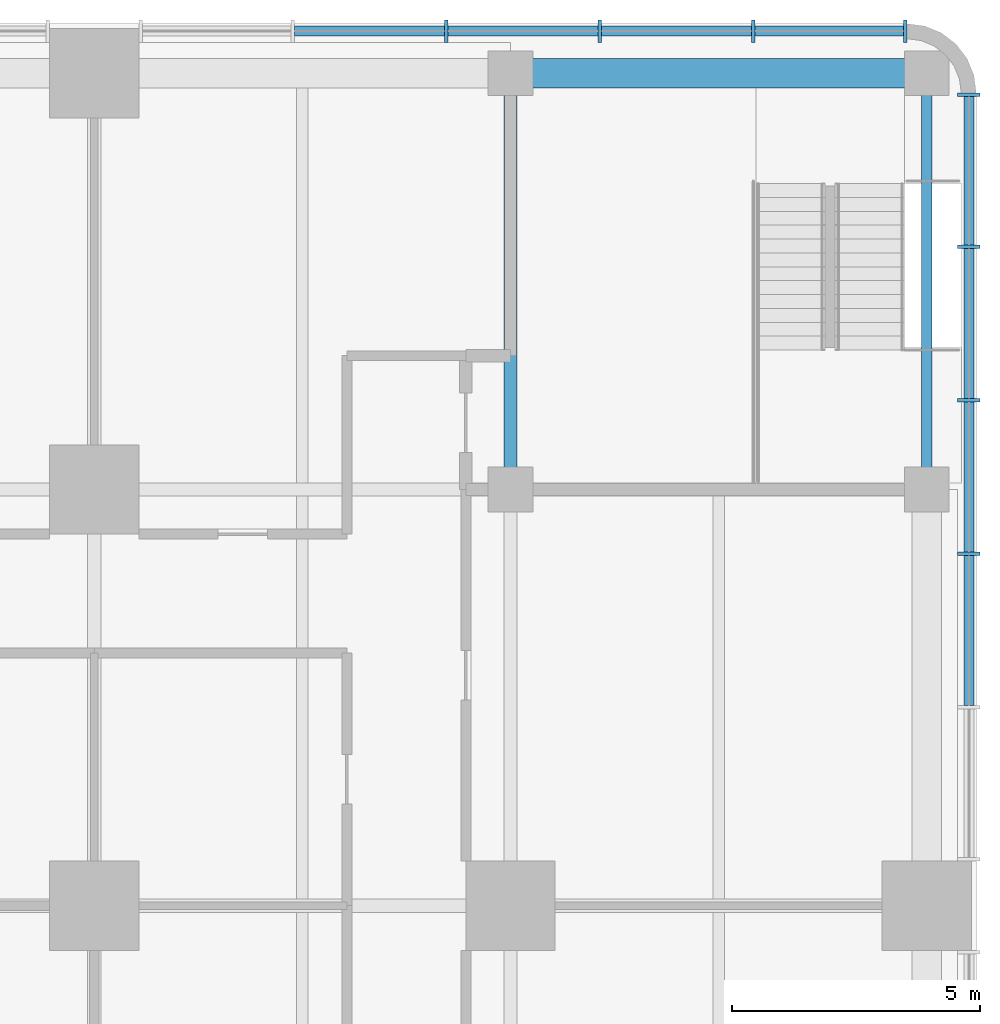
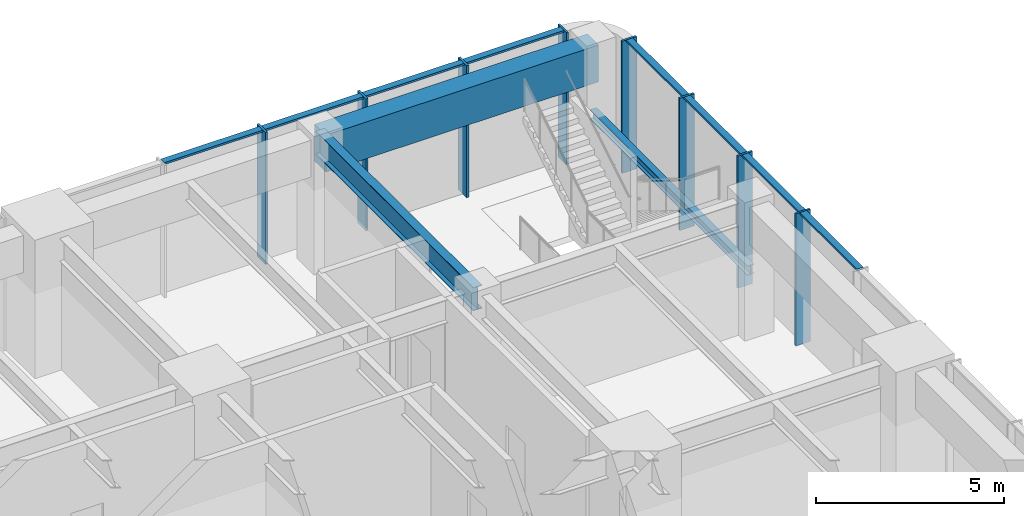
# One storey, part 8 of 19: 16 members, 3 beams, 2 elements without a shape of their own.
"""IFC4 building model written with IfcOpenShell, lengths in metres."""

from ifc_helpers import new_model, si_unit, direction, frame, origin, origin_2d, place, context, subcontext, project, spatial, rectangle, i_section, extrude, material, material_profile, profile_set, type_object, element, aggregate, save


model = new_model("IFC4")

# Units and contexts
model_context = context("Model", 3, precision=1e-05, world=origin(), true_north=direction((0.0, 1.0)))
body_context = subcontext(model_context, "Body", "Model", "MODEL_VIEW")
ifc_project = project(units=[si_unit("LENGTHUNIT", "METRE"), si_unit("AREAUNIT", "SQUARE_METRE"), si_unit("VOLUMEUNIT", "CUBIC_METRE"), si_unit("PLANEANGLEUNIT", "RADIAN"), si_unit("MASSUNIT", "GRAM", prefix="KILO")], contexts=[model_context])

# Site, building, storey
site_placement = place(None, origin())
site = spatial("IfcSite", under=ifc_project, at=site_placement, CompositionType="ELEMENT")
building_placement = place(site_placement, origin())
building = spatial("IfcBuilding", under=site, at=building_placement, Name="Torre Alcanfor", CompositionType="ELEMENT")
storey_placement = place(building_placement, frame((0.0, 0.0, 6.0)))
storey = spatial("IfcBuildingStorey", under=building, at=storey_placement, Name="L01", CompositionType="ELEMENT", Elevation=6.0)

# Curtain wall, members
ifc_material_1 = material(Name="Aluminium and glass", Category="aluminium")
curtain_wall_type = type_object("IfcCurtainWallType", Name="CW-B unitised classroom glazing with vertical FIN", PredefinedType="NOTDEFINED", material=ifc_material_1)
curtain_wall_1_placement = place(storey_placement, origin())
curtain_wall_1 = element("IfcCurtainWall", 1, at=curtain_wall_1_placement, inside=storey, type_object=curtain_wall_type, Name="Curtain wall CW-B L01 1", PredefinedType="NOTDEFINED")
ifc_material_2 = material(Name="Bronze anodised aluminium", Category="aluminium")
ifc_material_profile_1 = material_profile(ifc_material_2, rectangle(XDim=0.449951171875, YDim=0.06494140625, at=origin_2d()), Name="CW-B mullion 65x450")
ifc_profile_set_1 = profile_set([ifc_material_profile_1], Name="Bronze anodised aluminium")
member_type_1 = type_object("IfcMemberType", Name="CW-B mullion with vertical FIN 65x450", PredefinedType="MULLION", material=ifc_profile_set_1)
member_1_placement = place(storey_placement, frame((59.64990234375, 49.10302734375, 0.0), z_axis=(0.0, 0.0, 1.0), x_axis=(-1.0, 0.0, 0.0)))
member_1 = element("IfcMember", 2, at=member_1_placement, type_object=member_type_1, Name="CW-B mullion 5.3", PredefinedType="MULLION", context=body_context, shape_type="SweptSolid", body=[
    extrude(rectangle(XDim=0.449951171875, YDim=0.06494140625, at=origin_2d()), origin(), (0.0, 0.0, 1.0), 4.300048828125),
])
member_2_placement = place(storey_placement, frame((59.64990234375, 52.201904296875, 0.0), z_axis=(0.0, 0.0, 1.0), x_axis=(-1.0, 0.0, 0.0)))
member_2 = element("IfcMember", 3, at=member_2_placement, type_object=member_type_1, Name="CW-B mullion 5.4", PredefinedType="MULLION", context=body_context, shape_type="SweptSolid", body=[
    extrude(rectangle(XDim=0.449951171875, YDim=0.06494140625, at=origin_2d()), origin(), (0.0, 0.0, 1.0), 4.300048828125),
])
member_3_placement = place(storey_placement, frame((59.64990234375, 55.301025390625, 0.0), z_axis=(0.0, 0.0, 1.0), x_axis=(-1.0, 0.0, 0.0)))
member_3 = element("IfcMember", 4, at=member_3_placement, type_object=member_type_1, Name="CW-B mullion 5.5", PredefinedType="MULLION", context=body_context, shape_type="SweptSolid", body=[
    extrude(rectangle(XDim=0.449951171875, YDim=0.06494140625, at=origin_2d()), origin(), (0.0, 0.0, 1.0), 4.300048828125),
])
member_4_placement = place(storey_placement, frame((59.64990234375, 58.367431640625, 0.0), z_axis=(0.0, 0.0, 1.0), x_axis=(-1.0, 0.0, 0.0)))
member_4 = element("IfcMember", 5, at=member_4_placement, type_object=member_type_1, Name="CW-B mullion 5.6", PredefinedType="MULLION", context=body_context, shape_type="SweptSolid", body=[
    extrude(rectangle(XDim=0.449951171875, YDim=0.06494140625, at=origin_2d()), origin(), (0.0, 0.0, 1.0), 4.300048828125),
])

curtain_wall_2_placement = place(storey_placement, origin())
curtain_wall_2 = element("IfcCurtainWall", 6, at=curtain_wall_2_placement, inside=storey, type_object=curtain_wall_type, Name="Curtain wall CW-B L01 2", PredefinedType="NOTDEFINED")
member_5_placement = place(storey_placement, frame((58.367431640625, 59.64990234375, 0.0), z_axis=(0.0, 0.0, 1.0), x_axis=(0.0, -1.0, 0.0)))
member_5 = element("IfcMember", 7, at=member_5_placement, type_object=member_type_1, Name="CW-B mullion 1.1", PredefinedType="MULLION", context=body_context, shape_type="SweptSolid", body=[
    extrude(rectangle(XDim=0.449951171875, YDim=0.06494140625, at=origin_2d()), origin(), (0.0, 0.0, 1.0), 4.300048828125),
])
member_6_placement = place(storey_placement, frame((55.301025390625, 59.64990234375, 0.0), z_axis=(0.0, 0.0, 1.0), x_axis=(0.0, -1.0, 0.0)))
member_6 = element("IfcMember", 8, at=member_6_placement, type_object=member_type_1, Name="CW-B mullion 1.2", PredefinedType="MULLION", context=body_context, shape_type="SweptSolid", body=[
    extrude(rectangle(XDim=0.449951171875, YDim=0.06494140625, at=origin_2d()), origin(), (0.0, 0.0, 1.0), 4.300048828125),
])
member_7_placement = place(storey_placement, frame((52.201904296875, 59.64990234375, 0.0), z_axis=(0.0, 0.0, 1.0), x_axis=(0.0, -1.0, 0.0)))
member_7 = element("IfcMember", 9, at=member_7_placement, type_object=member_type_1, Name="CW-B mullion 1.3", PredefinedType="MULLION", context=body_context, shape_type="SweptSolid", body=[
    extrude(rectangle(XDim=0.449951171875, YDim=0.06494140625, at=origin_2d()), origin(), (0.0, 0.0, 1.0), 4.300048828125),
])
member_8_placement = place(storey_placement, frame((49.10302734375, 59.64990234375, 0.0), z_axis=(0.0, 0.0, 1.0), x_axis=(0.0, -1.0, 0.0)))
member_8 = element("IfcMember", 10, at=member_8_placement, type_object=member_type_1, Name="CW-B mullion 1.4", PredefinedType="MULLION", context=body_context, shape_type="SweptSolid", body=[
    extrude(rectangle(XDim=0.449951171875, YDim=0.06494140625, at=origin_2d()), origin(), (0.0, 0.0, 1.0), 4.300048828125),
])

# Member
ifc_material_3 = material(Name="Extruded aluminium", Category="aluminium")
ifc_material_profile_2 = material_profile(ifc_material_3, rectangle(XDim=0.199951171875, YDim=0.06494140625, at=origin_2d()), Name="CW-B transom 200x65")
ifc_profile_set_2 = profile_set([ifc_material_profile_2], Name="Extruded aluminium")
member_type_2 = type_object("IfcMemberType", Name="CW-B transom 65x200", PredefinedType="USERDEFINED", material=ifc_profile_set_2)
member_9_placement = place(storey_placement, frame((59.64990234375, 46.03662109375, 4.267578125), z_axis=(0.0, 1.0, 0.0), x_axis=(-1.0, 0.0, 0.0)))
member_9 = element("IfcMember", 11, at=member_9_placement, type_object=member_type_2, Name="CW-B transom 5.2.2", ObjectType="TRANSOM", PredefinedType="USERDEFINED", context=body_context, shape_type="SweptSolid", body=[
    extrude(rectangle(XDim=0.199951171875, YDim=0.06494140625, at=origin_2d()), origin(), (0.0, 0.0, 1.0), 3.033935546875),
])

member_10_placement = place(storey_placement, frame((59.64990234375, 49.135498046875, 4.267578125), z_axis=(0.0, 1.0, 0.0), x_axis=(-1.0, 0.0, 0.0)))
member_10 = element("IfcMember", 12, at=member_10_placement, type_object=member_type_2, Name="CW-B transom 5.3.2", ObjectType="TRANSOM", PredefinedType="USERDEFINED", context=body_context, shape_type="SweptSolid", body=[
    extrude(rectangle(XDim=0.199951171875, YDim=0.06494140625, at=origin_2d()), origin(), (0.0, 0.0, 1.0), 3.033935546875),
])

member_11_placement = place(storey_placement, frame((59.64990234375, 52.234619140625, 4.267578125), z_axis=(0.0, 1.0, 0.0), x_axis=(-1.0, 0.0, 0.0)))
member_11 = element("IfcMember", 13, at=member_11_placement, type_object=member_type_2, Name="CW-B transom 5.4.2", ObjectType="TRANSOM", PredefinedType="USERDEFINED", context=body_context, shape_type="SweptSolid", body=[
    extrude(rectangle(XDim=0.199951171875, YDim=0.06494140625, at=origin_2d()), origin(), (0.0, 0.0, 1.0), 3.033935546875),
])

member_12_placement = place(storey_placement, frame((59.64990234375, 55.33349609375, 4.267578125), z_axis=(0.0, 1.0, 0.0), x_axis=(-1.0, 0.0, 0.0)))
member_12 = element("IfcMember", 14, at=member_12_placement, type_object=member_type_2, Name="CW-B transom 5.5.2", ObjectType="TRANSOM", PredefinedType="USERDEFINED", context=body_context, shape_type="SweptSolid", body=[
    extrude(rectangle(XDim=0.199951171875, YDim=0.06494140625, at=origin_2d()), origin(), (0.0, 0.0, 1.0), 3.00146484375),
])

aggregate(curtain_wall_1, [member_1, member_2, member_3, member_4, member_9, member_10, member_11, member_12])

member_13_placement = place(storey_placement, frame((58.3349609375, 59.64990234375, 4.267578125), z_axis=(-1.0, 0.0, 0.0), x_axis=(0.0, -1.0, 0.0)))
member_13 = element("IfcMember", 15, at=member_13_placement, type_object=member_type_2, Name="CW-B transom 1.1.2", ObjectType="TRANSOM", PredefinedType="USERDEFINED", context=body_context, shape_type="SweptSolid", body=[
    extrude(rectangle(XDim=0.199951171875, YDim=0.06494140625, at=origin_2d()), origin(), (0.0, 0.0, 1.0), 3.00146484375),
])

member_14_placement = place(storey_placement, frame((55.2685546875, 59.64990234375, 4.267578125), z_axis=(-1.0, 0.0, 0.0), x_axis=(0.0, -1.0, 0.0)))
member_14 = element("IfcMember", 16, at=member_14_placement, type_object=member_type_2, Name="CW-B transom 1.2.2", ObjectType="TRANSOM", PredefinedType="USERDEFINED", context=body_context, shape_type="SweptSolid", body=[
    extrude(rectangle(XDim=0.199951171875, YDim=0.06494140625, at=origin_2d()), origin(), (0.0, 0.0, 1.0), 3.033935546875),
])

member_15_placement = place(storey_placement, frame((52.16943359375, 59.64990234375, 4.267578125), z_axis=(-1.0, 0.0, 0.0), x_axis=(0.0, -1.0, 0.0)))
member_15 = element("IfcMember", 17, at=member_15_placement, type_object=member_type_2, Name="CW-B transom 1.3.2", ObjectType="TRANSOM", PredefinedType="USERDEFINED", context=body_context, shape_type="SweptSolid", body=[
    extrude(rectangle(XDim=0.199951171875, YDim=0.06494140625, at=origin_2d()), origin(), (0.0, 0.0, 1.0), 3.033935546875),
])

member_16_placement = place(storey_placement, frame((49.070556640625, 59.64990234375, 4.267578125), z_axis=(-1.0, 0.0, 0.0), x_axis=(0.0, -1.0, 0.0)))
member_16 = element("IfcMember", 18, at=member_16_placement, type_object=member_type_2, Name="CW-B transom 1.4.2", ObjectType="TRANSOM", PredefinedType="USERDEFINED", context=body_context, shape_type="SweptSolid", body=[
    extrude(rectangle(XDim=0.199951171875, YDim=0.06494140625, at=origin_2d()), origin(), (0.0, 0.0, 1.0), 3.033935546875),
])

aggregate(curtain_wall_2, [member_5, member_6, member_7, member_8, member_13, member_14, member_15, member_16])

# Beams
ifc_material_4 = material(Name="Steel ASTM A992 Grade 50", Category="steel")
ifc_material_profile_3 = material_profile(ifc_material_4, i_section(OverallWidth=0.2666015625, OverallDepth=0.7568359375, WebThickness=0.013916015625, FlangeThickness=0.019287109375, at=origin_2d()), Name="W30x108")
ifc_profile_set_3 = profile_set([ifc_material_profile_3], Name="Steel ASTM A992 Grade 50")
beam_type_1 = type_object("IfcBeamType", Name="Girder W30x108", PredefinedType="BEAM", material=ifc_profile_set_3)
beam_1_placement = place(storey_placement, frame((50.39990234375, 50.39990234375, 3.921630859375), z_axis=(0.0, 1.0, 0.0), x_axis=(-1.0, 0.0, 0.0)))
element("IfcBeam", 19, at=beam_1_placement, inside=storey, type_object=beam_type_1, Name="Beam 7J-7K under L02", PredefinedType="BEAM", context=body_context, shape_type="SweptSolid", body=[
    extrude(i_section(OverallWidth=0.2666015625, OverallDepth=0.7568359375, WebThickness=0.013916015625, FlangeThickness=0.019287109375, at=origin_2d()), origin(), (0.0, 0.0, 1.0), 8.400146484375),
])
ifc_material_5 = material(Name="Concrete f'c 70 MPa", Category="concrete")
ifc_material_profile_4 = material_profile(ifc_material_5, rectangle(XDim=0.60009765625, YDim=1.199951171875, at=origin_2d()), Name="600x1200")
ifc_profile_set_4 = profile_set([ifc_material_profile_4], Name="Concrete f'c 70 MPa")
beam_type_2 = type_object("IfcBeamType", Name="RC perimeter beam 600x1200", PredefinedType="BEAM", material=ifc_profile_set_4)
beam_2_placement = place(storey_placement, frame((50.39990234375, 58.800048828125, 3.699951171875), z_axis=(1.0, 0.0, 0.0), x_axis=(0.0, 1.0, 0.0)))
element("IfcBeam", 20, at=beam_2_placement, inside=storey, type_object=beam_type_2, Name="Beam 7K-8K under L02", PredefinedType="BEAM", context=body_context, shape_type="SweptSolid", body=[
    extrude(rectangle(XDim=0.60009765625, YDim=1.199951171875, at=origin_2d()), origin(), (0.0, 0.0, 1.0), 8.400146484375),
])
ifc_material_6 = material(Name="Steel ASTM A992 Grade 50", Category="steel")
ifc_material_profile_5 = material_profile(ifc_material_6, i_section(OverallWidth=0.203369140625, OverallDepth=0.30224609375, WebThickness=0.007568359375, FlangeThickness=0.01318359375, at=origin_2d()), Name="W12x40")
ifc_profile_set_5 = profile_set([ifc_material_profile_5], Name="Steel ASTM A992 Grade 50")
beam_type_3 = type_object("IfcBeamType", Name="School stair landing beam W12x40", PredefinedType="BEAM", material=ifc_profile_set_5)
beam_3_placement = place(storey_placement, frame((58.800048828125, 50.39990234375, 1.89892578125), z_axis=(0.0, 1.0, 0.0), x_axis=(-1.0, 0.0, 0.0)))
element("IfcBeam", 21, at=beam_3_placement, inside=storey, type_object=beam_type_3, Name="Landing beam SS4 L01", PredefinedType="BEAM", context=body_context, shape_type="SweptSolid", body=[
    extrude(i_section(OverallWidth=0.203369140625, OverallDepth=0.30224609375, WebThickness=0.007568359375, FlangeThickness=0.01318359375, at=origin_2d()), origin(), (0.0, 0.0, 1.0), 8.400146484375),
])

save(model, "model.ifc")
